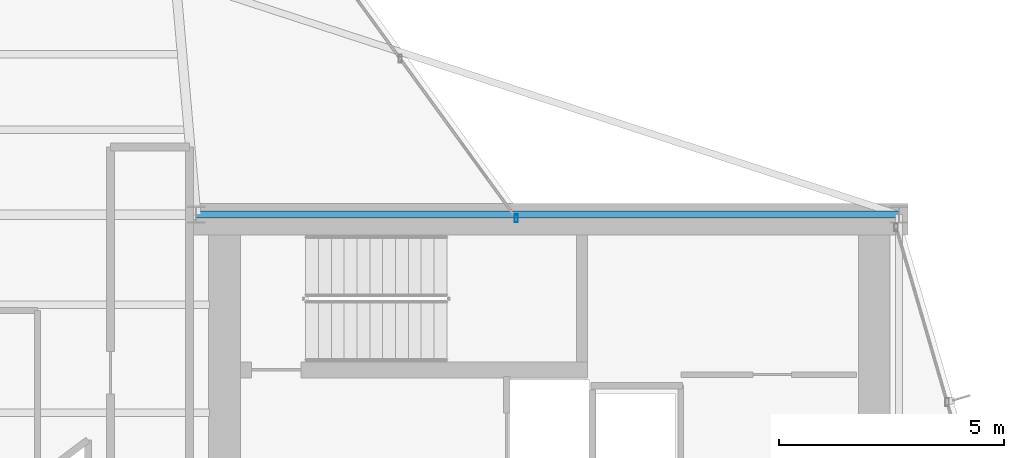
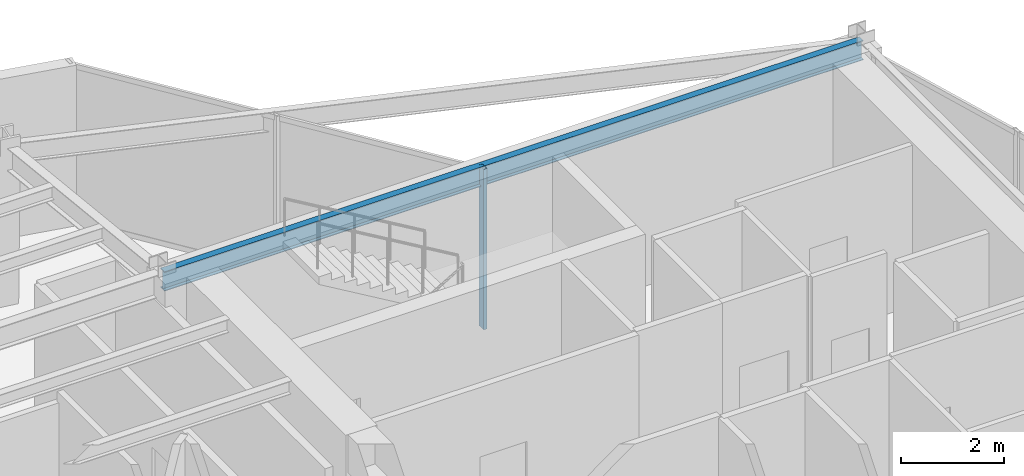
# One storey, part 14 of 21: 1 beam, 1 member, 1 element without a shape of its own.
"""IFC4 building model written with IfcOpenShell, lengths in metres."""

from ifc_helpers import new_model, si_unit, direction, frame, origin, origin_2d, place, context, subcontext, project, spatial, hollow_rectangle, i_section, extrude, material, layer, layer_set, material_profile, profile_set, type_object, element, aggregate, save


model = new_model("IFC4")

# Units and contexts
model_context = context("Model", 3, precision=1e-05, world=origin(), true_north=direction((0.0, 1.0)))
body_context = subcontext(model_context, "Body", "Model", "MODEL_VIEW")
ifc_project = project(units=[si_unit("LENGTHUNIT", "METRE"), si_unit("AREAUNIT", "SQUARE_METRE"), si_unit("VOLUMEUNIT", "CUBIC_METRE"), si_unit("PLANEANGLEUNIT", "RADIAN"), si_unit("MASSUNIT", "GRAM", prefix="KILO")], contexts=[model_context])

# Site, building, storey
site_placement = place(None, origin())
site = spatial("IfcSite", under=ifc_project, at=site_placement, CompositionType="ELEMENT")
building_placement = place(site_placement, origin())
building = spatial("IfcBuilding", under=site, at=building_placement, Name="Veymaron Broadcast Tower", CompositionType="ELEMENT")
storey_placement = place(building_placement, frame((0.0, 0.0, 232.35009765625)))
storey = spatial("IfcBuildingStorey", under=building, at=storey_placement, Name="L54", CompositionType="ELEMENT", Elevation=232.35009765625)

# Beam
ifc_material_1 = material(Name="Structural steel ASTM A992 Gr 50", Category="steel")
ifc_material_profile_1 = material_profile(ifc_material_1, i_section(OverallWidth=0.154052734375, OverallDepth=0.458984375, WebThickness=0.009033203125, FlangeThickness=0.015380859375, at=origin_2d()), Name="W460X68")
ifc_profile_set_1 = profile_set([ifc_material_profile_1], Name="Structural steel ASTM A992 Gr 50")
beam_type = type_object("IfcBeamType", Name="BM-SP2", PredefinedType="SPANDREL", material=ifc_profile_set_1)
beam_placement = place(storey_placement, frame((39.0, 32.0, 3.560302734375), z_axis=(1.0, 0.0, 0.0), x_axis=(0.0, 1.0, 0.0)))
element("IfcBeam", 1, at=beam_placement, inside=storey, type_object=beam_type, Name="L54 primary structural floor girder", PredefinedType="SPANDREL", context=body_context, shape_type="SweptSolid", body=[
    extrude(i_section(OverallWidth=0.154052734375, OverallDepth=0.458984375, WebThickness=0.009033203125, FlangeThickness=0.015380859375, at=origin_2d()), origin(), (0.0, 0.0, 1.0), 15.60009765625),
])

# Curtain wall, member
ifc_material_2 = material(Name="Anodised aluminium AA 6063-T6 and laminated low-E dark glass", Category="aluminium")
ifc_layer = layer(ifc_material_2, 0.179931640625)
ifc_layer_set = layer_set([ifc_layer], Name="Anodised aluminium AA 6063-T6 and laminated low-E dark glass")
curtain_wall_type = type_object("IfcCurtainWallType", Name="CW-SYS-05", PredefinedType="NOTDEFINED", material=ifc_layer_set)
curtain_wall_placement = place(storey_placement, origin())
curtain_wall = element("IfcCurtainWall", 2, at=curtain_wall_placement, inside=storey, type_object=curtain_wall_type, Name="L54 dark-glass curtain wall CW-L54-E5-1", PredefinedType="NOTDEFINED")
ifc_material_3 = material(Name="Anodised aluminium AA 6063-T6", Category="aluminium")
ifc_material_profile_2 = material_profile(ifc_material_3, hollow_rectangle(XDim=0.074951171875, YDim=0.179931640625, WallThickness=0.0048828125, at=origin_2d()), Name="AL180X75X5")
ifc_profile_set_2 = profile_set([ifc_material_profile_2], Name="Anodised aluminium AA 6063-T6")
member_type = type_object("IfcMemberType", Name="CW-MUL-02", PredefinedType="MULLION", material=ifc_profile_set_2)
member_placement = place(storey_placement, frame((46.10498046875, 31.917724609375, 0.0), z_axis=(0.0, 0.0, 1.0), x_axis=(1.0, 0.0, 0.0)))
member = element("IfcMember", 3, at=member_placement, type_object=member_type, Name="CW-L54-E5-1 mullion 0", PredefinedType="MULLION", context=body_context, shape_type="SweptSolid", body=[
    extrude(hollow_rectangle(XDim=0.074951171875, YDim=0.179931640625, WallThickness=0.0048828125, at=origin_2d()), origin(), (0.0, 0.0, 1.0), 3.789794921875),
])
aggregate(curtain_wall, [member])

save(model, "model.ifc")
